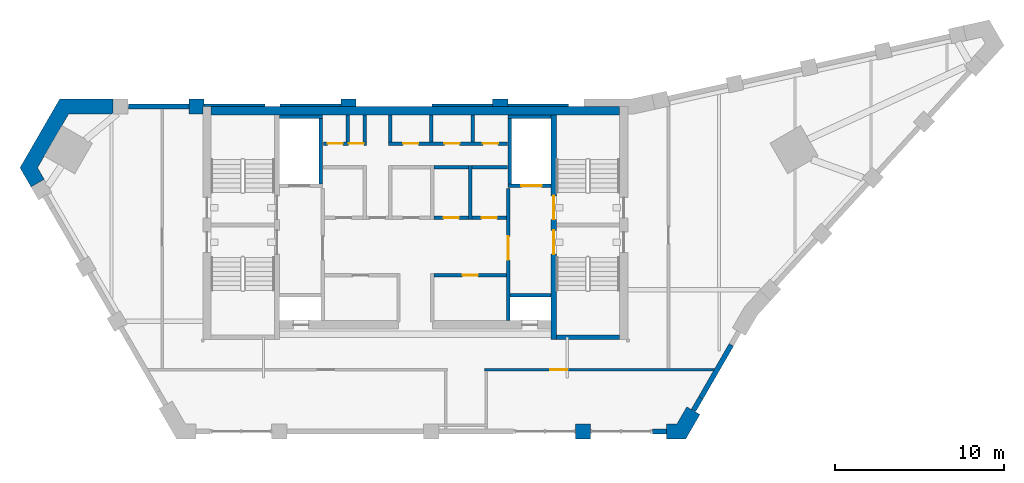
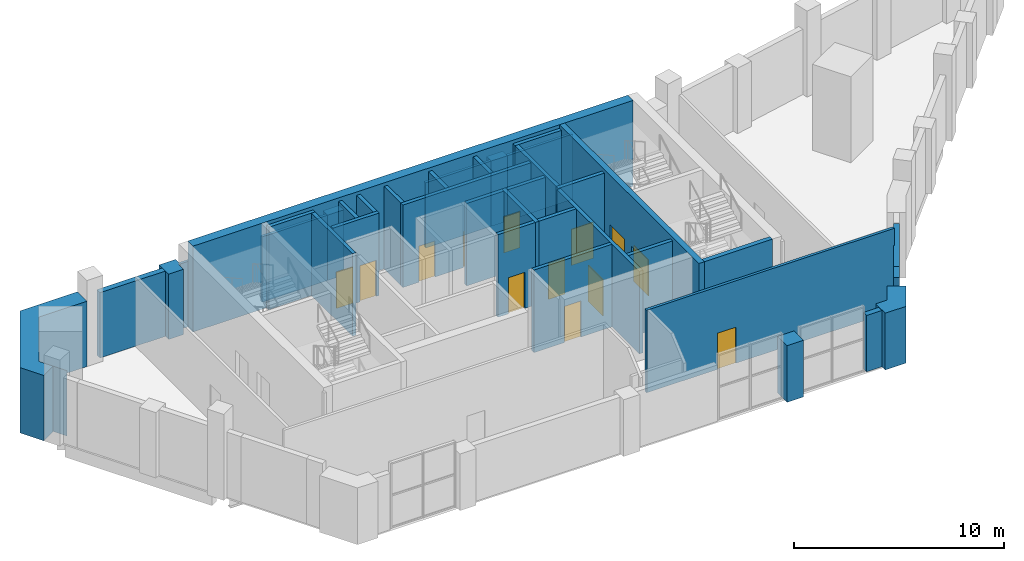
# One storey, part 5 of 9: 38 walls, 13 doors, 13 openings.
"""IFC4 building model written with IfcOpenShell, lengths in metres."""

from ifc_helpers import new_model, si_unit, direction, frame, frame_2d, origin, place, context, subcontext, project, spatial, polyline, rectangle, outline, extrude, material, layer, layer_set, type_object, element, fill, save


model = new_model("IFC4")

# Units and contexts
model_context = context("Model", 3, precision=1e-05, world=origin(), true_north=direction((0.0, 1.0)))
body_context = subcontext(model_context, "Body", "Model", "MODEL_VIEW")
ifc_project = project(units=[si_unit("LENGTHUNIT", "METRE"), si_unit("AREAUNIT", "SQUARE_METRE"), si_unit("VOLUMEUNIT", "CUBIC_METRE"), si_unit("PLANEANGLEUNIT", "RADIAN"), si_unit("MASSUNIT", "GRAM", prefix="KILO")], contexts=[model_context])

# Site, building, storey
site_placement = place(None, origin())
site = spatial("IfcSite", under=ifc_project, at=site_placement, CompositionType="ELEMENT")
building_placement = place(site_placement, origin())
building = spatial("IfcBuilding", under=site, at=building_placement, Name="Calabash Gate Tower", CompositionType="ELEMENT")
storey_placement = place(building_placement, frame((0.0, 0.0, 330.5)))
storey = spatial("IfcBuildingStorey", under=building, at=storey_placement, Name="L77", CompositionType="ELEMENT", Elevation=330.5)

# Walls
ifc_material_1 = material(Name="Terracotta brick masonry, exposed face", Category="masonry")
ifc_layer_1 = layer(ifc_material_1, 0.89990234375)
ifc_layer_set_1 = layer_set([ifc_layer_1], Name="Brick end wall 900")
wall_type_1 = type_object("IfcWallType", Name="Brick end wall 900", PredefinedType="SOLIDWALL", material=ifc_layer_set_1)
wall_1_placement = place(storey_placement, origin())
element("IfcWall", 1, at=wall_1_placement, inside=storey, type_object=wall_type_1, Name="Brick pier L77 crown1.5", PredefinedType="SOLIDWALL", context=body_context, shape_type="SweptSolid", body=[
    extrude(outline(polyline([(10.385986328125, 0.24560546875), (9.48583984375, 0.24560546875), (9.48583984375, -0.654541015625), (10.385986328125, -0.654541015625), (10.385986328125, 0.24560546875)])), origin(), (0.0, 0.0, 1.0), 3.29736328125),
])
wall_2_placement = place(storey_placement, origin())
element("IfcWall", 2, at=wall_2_placement, inside=storey, type_object=wall_type_1, Name="Brick pier L77 crown6.1", PredefinedType="SOLIDWALL", context=body_context, shape_type="SweptSolid", body=[
    extrude(outline(polyline([(4.584228515625, 19.50244140625), (4.584228515625, 19.052490234375), (5.484375, 19.052490234375), (5.484375, 19.50244140625), (4.584228515625, 19.50244140625)])), origin(), (0.0, 0.0, 1.0), 3.800048828125),
])
wall_3_placement = place(storey_placement, origin())
element("IfcWall", 3, at=wall_3_placement, inside=storey, type_object=wall_type_1, Name="Brick pier L77 crown6.3", PredefinedType="SOLIDWALL", context=body_context, shape_type="SweptSolid", body=[
    extrude(outline(polyline([(-4.415771484375, 19.50244140625), (-4.415771484375, 19.052490234375), (-3.515625, 19.052490234375), (-3.515625, 19.50244140625), (-4.415771484375, 19.50244140625)])), origin(), (0.0, 0.0, 1.0), 3.800048828125),
])
wall_4_placement = place(storey_placement, origin())
element("IfcWall", 4, at=wall_4_placement, inside=storey, type_object=wall_type_1, Name="Brick pier L77 crown6.5", PredefinedType="SOLIDWALL", context=body_context, shape_type="SweptSolid", body=[
    extrude(outline(polyline([(-13.415771484375, 19.50244140625), (-13.415771484375, 18.6025390625), (-12.60009765625, 18.6025390625), (-12.60009765625, 19.052490234375), (-12.515625, 19.052490234375), (-12.515625, 19.50244140625), (-13.415771484375, 19.50244140625)])), origin(), (0.0, 0.0, 1.0), 3.800048828125),
])
wall_5_placement = place(storey_placement, origin())
element("IfcWall", 5, at=wall_5_placement, inside=storey, type_object=wall_type_1, Name="Brick end wall L77 2", PredefinedType="SOLIDWALL", context=body_context, shape_type="SweptSolid", body=[
    extrude(outline(polyline([(14.885986328125, 0.24560546875), (14.885986328125, -0.654541015625), (16.023193359375, -0.654541015625), (16.862060546875, 0.798583984375), (16.082763671875, 1.24853515625), (15.503662109375, 0.24560546875), (14.885986328125, 0.24560546875)])), origin(), (0.0, 0.0, 1.0), 3.29736328125),
])
wall_6_placement = place(storey_placement, origin())
element("IfcWall", 6, at=wall_6_placement, inside=storey, type_object=wall_type_1, Name="Brick end wall L77 6", PredefinedType="SOLIDWALL", context=body_context, shape_type="SweptSolid", body=[
    extrude(outline(polyline([(-17.915771484375, 18.6025390625), (-17.916015625, 19.50244140625), (-21.072509765625, 19.50244140625), (-23.430908203125, 15.41796875), (-22.776611328125, 14.28466796875), (-21.997314453125, 14.734619140625), (-21.61181640625, 14.067138671875), (-22.3916015625, 15.41796875), (-20.552978515625, 18.6025390625), (-17.915771484375, 18.6025390625)])), origin(), (0.0, 0.0, 1.0), 3.800048828125),
])

# Wall, opening, door
ifc_material_2 = material(Name="Gypsum board on steel studs, mineral wool", Category="steel")
ifc_layer_2 = layer(ifc_material_2, 0.199951171875)
ifc_layer_set_2 = layer_set([ifc_layer_2], Name="Core partition 200 gypsum board")
wall_type_2 = type_object("IfcWallType", Name="Core partition 200 gypsum board", PredefinedType="PARTITIONING", material=ifc_layer_set_2)
wall_7_placement = place(storey_placement, frame((1.10009765625, 9.052490234375, 0.0), z_axis=(0.0, 0.0, 1.0), x_axis=(1.0, 0.0, 0.0)))
wall_7 = element("IfcWall", 7, at=wall_7_placement, inside=storey, type_object=wall_type_2, Name="Core partition", PredefinedType="PARTITIONING", context=body_context, shape_type="SweptSolid", body=[
    extrude(rectangle(XDim=4.2998046875, YDim=0.199951171875, at=frame_2d((2.14990234375, 0.0))), origin(), (0.0, 0.0, 1.0), 4.800048828125),
])
opening_1_placement = place(wall_7_placement, frame((1.699951171875, 0.0, 0.0)))
opening_1 = element("IfcOpeningElement", 8, at=opening_1_placement, cuts=wall_7, Name="Opening L77-018", PredefinedType="OPENING", context=body_context, shape_type="SweptSolid", body=[
    extrude(rectangle(XDim=0.89990234375, YDim=2.10009765625, at=frame_2d((0.449951171875, 1.050048828125))), frame((0.0, 0.10986328125, 0.0), z_axis=(0.0, -1.0, 0.0), x_axis=(1.0, 0.0, 0.0)), (0.0, 0.0, 1.0), 0.219970703125),
])
ifc_material_3 = material(Name="Steel fire door set with fire-resisting glazing", Category="steel")
door_type_1 = type_object("IfcDoorType", Name="Fire door D06 900x2100 FD60", OperationType="NOTDEFINED", PredefinedType="DOOR", material=ifc_material_3)
door_1_placement = place(opening_1_placement, origin())
door_1 = element("IfcDoor", 9, at=door_1_placement, inside=storey, type_object=door_type_1, Name="Plant Control Room door", OperationType="SINGLE_SWING_LEFT", OverallHeight=2.10009765625, OverallWidth=0.89990234375, PredefinedType="DOOR", context=body_context, shape_type="SweptSolid", body=[
    extrude(rectangle(XDim=0.89990234375, YDim=2.10009765625, at=frame_2d((0.449951171875, 1.050048828125))), frame((0.0, 0.02490234375, 0.0), z_axis=(0.0, -1.0, 0.0), x_axis=(1.0, 0.0, 0.0)), (0.0, 0.0, 1.0), 0.050048828125),
])
fill(opening_1, door_1)

wall_8_placement = place(storey_placement, frame((1.10009765625, 12.45263671875, 0.0), z_axis=(0.0, 0.0, 1.0), x_axis=(1.0, 0.0, 0.0)))
wall_8 = element("IfcWall", 10, at=wall_8_placement, inside=storey, type_object=wall_type_2, Name="Core partition", PredefinedType="PARTITIONING", context=body_context, shape_type="SweptSolid", body=[
    extrude(rectangle(XDim=2.0498046875, YDim=0.199951171875, at=frame_2d((1.02490234375, 0.0))), origin(), (0.0, 0.0, 1.0), 4.800048828125),
])
opening_2_placement = place(wall_8_placement, frame((0.574951171875, 0.0, 0.0)))
opening_2 = element("IfcOpeningElement", 11, at=opening_2_placement, cuts=wall_8, Name="Opening L77-019", PredefinedType="OPENING", context=body_context, shape_type="SweptSolid", body=[
    extrude(rectangle(XDim=0.89990234375, YDim=2.10009765625, at=frame_2d((0.449951171875, 1.050048828125))), frame((0.0, 0.10986328125, 0.0), z_axis=(0.0, -1.0, 0.0), x_axis=(1.0, 0.0, 0.0)), (0.0, 0.0, 1.0), 0.219970703125),
])
door_2_placement = place(opening_2_placement, origin())
door_2 = element("IfcDoor", 12, at=door_2_placement, inside=storey, type_object=door_type_1, Name="Plant Control Room door", OperationType="SINGLE_SWING_RIGHT", OverallHeight=2.10009765625, OverallWidth=0.89990234375, PredefinedType="DOOR", context=body_context, shape_type="SweptSolid", body=[
    extrude(rectangle(XDim=0.89990234375, YDim=2.10009765625, at=frame_2d((0.449951171875, 1.050048828125))), frame((0.0, 0.02490234375, 0.0), z_axis=(0.0, -1.0, 0.0), x_axis=(1.0, 0.0, 0.0)), (0.0, 0.0, 1.0), 0.050048828125),
])
fill(opening_2, door_2)

# Wall
wall_9_placement = place(storey_placement, frame((3.25, 12.3525390625, 0.0), z_axis=(0.0, 0.0, 1.0), x_axis=(0.0, 1.0, 0.0)))
element("IfcWall", 13, at=wall_9_placement, inside=storey, type_object=wall_type_2, Name="Core partition", PredefinedType="PARTITIONING", context=body_context, shape_type="SweptSolid", body=[
    extrude(rectangle(XDim=3.199951171875, YDim=0.199951171875, at=frame_2d((1.60009765625, 0.0))), origin(), (0.0, 0.0, 1.0), 4.800048828125),
])

# Wall, opening, door
wall_10_placement = place(storey_placement, frame((3.35009765625, 12.45263671875, 0.0), z_axis=(0.0, 0.0, 1.0), x_axis=(1.0, 0.0, 0.0)))
wall_10 = element("IfcWall", 14, at=wall_10_placement, inside=storey, type_object=wall_type_2, Name="Core partition", PredefinedType="PARTITIONING", context=body_context, shape_type="SweptSolid", body=[
    extrude(rectangle(XDim=2.0498046875, YDim=0.199951171875, at=frame_2d((1.02490234375, 0.0))), origin(), (0.0, 0.0, 1.0), 4.800048828125),
])
opening_3_placement = place(wall_10_placement, frame((0.574951171875, 0.0, 0.0)))
opening_3 = element("IfcOpeningElement", 15, at=opening_3_placement, cuts=wall_10, Name="Opening L77-020", PredefinedType="OPENING", context=body_context, shape_type="SweptSolid", body=[
    extrude(rectangle(XDim=0.89990234375, YDim=2.10009765625, at=frame_2d((0.449951171875, 1.050048828125))), frame((0.0, 0.10986328125, 0.0), z_axis=(0.0, -1.0, 0.0), x_axis=(1.0, 0.0, 0.0)), (0.0, 0.0, 1.0), 0.219970703125),
])
door_3_placement = place(opening_3_placement, origin())
door_3 = element("IfcDoor", 16, at=door_3_placement, inside=storey, type_object=door_type_1, Name="Plant Spares Store door", OperationType="SINGLE_SWING_LEFT", OverallHeight=2.10009765625, OverallWidth=0.89990234375, PredefinedType="DOOR", context=body_context, shape_type="SweptSolid", body=[
    extrude(rectangle(XDim=0.89990234375, YDim=2.10009765625, at=frame_2d((0.449951171875, 1.050048828125))), frame((0.0, 0.02490234375, 0.0), z_axis=(0.0, -1.0, 0.0), x_axis=(1.0, 0.0, 0.0)), (0.0, 0.0, 1.0), 0.050048828125),
])
fill(opening_3, door_3)

# Walls
wall_11_placement = place(storey_placement, frame((1.10009765625, 15.45263671875, 0.0), z_axis=(0.0, 0.0, 1.0), x_axis=(1.0, 0.0, 0.0)))
element("IfcWall", 17, at=wall_11_placement, inside=storey, type_object=wall_type_2, Name="Core partition", PredefinedType="PARTITIONING", context=body_context, shape_type="SweptSolid", body=[
    extrude(rectangle(XDim=2.0498046875, YDim=0.199951171875, at=frame_2d((1.02490234375, 0.0))), origin(), (0.0, 0.0, 1.0), 4.800048828125),
])
for number, where, z_axis, x_axis, name in (
    (18, (-4.0, 16.95263671875, 0.0), (0.0, 0.0, 1.0), (0.0, 1.0, 0.0), "Core partition"),
    (19, (-3.0, 16.95263671875, 0.0), (0.0, 0.0, 1.0), (0.0, 1.0, 0.0), "Core partition"),
    (20, (-1.5, 16.95263671875, 0.0), (0.0, 0.0, 1.0), (0.0, 1.0, 0.0), "Core partition"),
    (21, (0.949951171875, 16.95263671875, 0.0), (0.0, 0.0, 1.0), (0.0, 1.0, 0.0), "Core partition"),
    (22, (3.39990234375, 16.95263671875, 0.0), (0.0, 0.0, 1.0), (0.0, 1.0, 0.0), "Core partition"),
):
    element("IfcWall", number, at=place(storey_placement, frame(where, z_axis=z_axis, x_axis=x_axis)), inside=storey, type_object=wall_type_2, Name=name, PredefinedType="PARTITIONING", context=body_context, shape_type="SweptSolid", body=[
        extrude(rectangle(XDim=1.599853515625, YDim=0.199951171875, at=frame_2d((0.7998046875, 0.0))), origin(), (0.0, 0.0, 1.0), 4.800048828125),
    ])
ifc_material_4 = material(Name="Concrete C60/75", Category="concrete")
ifc_layer_3 = layer(ifc_material_4, 0.25)
ifc_layer_set_3 = layer_set([ifc_layer_3], Name="Core wall 250 Concrete C60/75")
wall_type_3 = type_object("IfcWallType", Name="Core wall 250 Concrete C60/75", PredefinedType="SHEAR", material=ifc_layer_set_3)
wall_12_placement = place(storey_placement, frame((8.35009765625, 5.377685546875, 0.0), z_axis=(0.0, 0.0, 1.0), x_axis=(1.0, 0.0, 0.0)))
element("IfcWall", 23, at=wall_12_placement, inside=storey, type_object=wall_type_3, Name="Core wall C-SSE L77", PredefinedType="SHEAR", context=body_context, shape_type="SweptSolid", body=[
    extrude(rectangle(XDim=3.75, YDim=0.25, at=frame_2d((1.875, 0.0))), origin(), (0.0, 0.0, 1.0), 5.0),
])

# Wall, openings, doors
ifc_material_5 = material(Name="Concrete C60/75", Category="concrete")
ifc_layer_4 = layer(ifc_material_5, 0.300048828125)
ifc_layer_set_4 = layer_set([ifc_layer_4], Name="Core wall 300 Concrete C60/75")
wall_type_4 = type_object("IfcWallType", Name="Core wall 300 Concrete C60/75", PredefinedType="SHEAR", material=ifc_layer_set_4)
wall_13_placement = place(storey_placement, frame((8.199951171875, 5.252685546875, 0.0), z_axis=(0.0, 0.0, 1.0), x_axis=(0.0, 1.0, 0.0)))
wall_13 = element("IfcWall", 24, at=wall_13_placement, inside=storey, type_object=wall_type_4, Name="Core wall C-PARTE L77", PredefinedType="SHEAR", context=body_context, shape_type="SweptSolid", body=[
    extrude(rectangle(XDim=13.2998046875, YDim=0.300048828125, at=frame_2d((6.64990234375, 0.0))), origin(), (0.0, 0.0, 1.0), 5.0),
])
opening_4_placement = place(wall_13_placement, frame((7.10009765625, 0.0, 0.0)))
opening_4 = element("IfcOpeningElement", 25, at=opening_4_placement, cuts=wall_13, Name="Opening L77-003", PredefinedType="OPENING", context=body_context, shape_type="SweptSolid", body=[
    extrude(rectangle(XDim=1.39990234375, YDim=2.10009765625, at=frame_2d((0.699951171875, 1.050048828125))), frame((0.0, 0.159912109375, 0.0), z_axis=(0.0, -1.0, 0.0), x_axis=(1.0, 0.0, 0.0)), (0.0, 0.0, 1.0), 0.320068359375),
])
opening_5_placement = place(wall_13_placement, frame((5.050048828125, 0.0, 0.0)))
opening_5 = element("IfcOpeningElement", 26, at=opening_5_placement, cuts=wall_13, Name="Opening L77-004", PredefinedType="OPENING", context=body_context, shape_type="SweptSolid", body=[
    extrude(rectangle(XDim=1.39990234375, YDim=2.10009765625, at=frame_2d((0.699951171875, 1.050048828125))), frame((0.0, 0.159912109375, 0.0), z_axis=(0.0, -1.0, 0.0), x_axis=(1.0, 0.0, 0.0)), (0.0, 0.0, 1.0), 0.320068359375),
])
ifc_material_6 = material(Name="Steel fire door set with fire-resisting glazing", Category="steel")
door_type_2 = type_object("IfcDoorType", Name="Fire door D05 1400x2100 FD90", OperationType="NOTDEFINED", PredefinedType="DOOR", material=ifc_material_6)
door_4_placement = place(opening_4_placement, origin())
door_4 = element("IfcDoor", 27, at=door_4_placement, inside=storey, type_object=door_type_2, Name="Exit stair door ST3", OperationType="SINGLE_SWING_RIGHT", OverallHeight=2.10009765625, OverallWidth=1.39990234375, PredefinedType="DOOR", context=body_context, shape_type="SweptSolid", body=[
    extrude(rectangle(XDim=1.39990234375, YDim=2.10009765625, at=frame_2d((0.699951171875, 1.050048828125))), frame((0.0, 0.02490234375, 0.0), z_axis=(0.0, -1.0, 0.0), x_axis=(1.0, 0.0, 0.0)), (0.0, 0.0, 1.0), 0.050048828125),
])
fill(opening_4, door_4)
door_5_placement = place(opening_5_placement, origin())
door_5 = element("IfcDoor", 28, at=door_5_placement, inside=storey, type_object=door_type_2, Name="Exit stair door ST4", OperationType="SINGLE_SWING_LEFT", OverallHeight=2.10009765625, OverallWidth=1.39990234375, PredefinedType="DOOR", context=body_context, shape_type="SweptSolid", body=[
    extrude(rectangle(XDim=1.39990234375, YDim=2.10009765625, at=frame_2d((0.699951171875, 1.050048828125))), frame((0.0, 0.02490234375, 0.0), z_axis=(0.0, -1.0, 0.0), x_axis=(1.0, 0.0, 0.0)), (0.0, 0.0, 1.0), 0.050048828125),
])
fill(opening_5, door_5)

# Wall
ifc_material_7 = material(Name="Concrete C60/75", Category="concrete")
ifc_layer_5 = layer(ifc_material_7, 0.5)
ifc_layer_set_5 = layer_set([ifc_layer_5], Name="Core wall 500 Concrete C60/75")
wall_type_5 = type_object("IfcWallType", Name="Core wall 500 Concrete C60/75", PredefinedType="SHEAR", material=ifc_layer_set_5)
wall_14_placement = place(storey_placement, frame((-12.10009765625, 18.802490234375, 0.0), z_axis=(0.0, 0.0, 1.0), x_axis=(1.0, 0.0, 0.0)))
element("IfcWall", 29, at=wall_14_placement, inside=storey, type_object=wall_type_5, Name="Core wall C-N L77", PredefinedType="SHEAR", context=body_context, shape_type="SweptSolid", body=[
    extrude(rectangle(XDim=24.2001953125, YDim=0.5, at=frame_2d((12.10009765625, 0.0))), origin(), (0.0, 0.0, 1.0), 5.0),
])

# Wall, opening, door
ifc_material_8 = material(Name="Gypsum board on steel studs, mineral wool", Category="steel")
ifc_layer_6 = layer(ifc_material_8, 0.14990234375)
ifc_layer_set_6 = layer_set([ifc_layer_6], Name="Partition 150 gypsum board")
wall_type_6 = type_object("IfcWallType", Name="Partition 150 gypsum board", PredefinedType="PARTITIONING", material=ifc_layer_set_6)
wall_15_placement = place(storey_placement, frame((4.094970703125, 3.45263671875, 0.0), z_axis=(0.0, 0.0, 1.0), x_axis=(1.0, 0.0, 0.0)))
wall_15 = element("IfcWall", 30, at=wall_15_placement, inside=storey, type_object=wall_type_6, Name="Partition", PredefinedType="PARTITIONING", context=body_context, shape_type="SweptSolid", body=[
    extrude(rectangle(XDim=13.626708984375, YDim=0.14990234375, at=frame_2d((6.8134765625, 0.0))), origin(), (0.0, 0.0, 1.0), 4.800048828125),
])
opening_6_placement = place(wall_15_placement, frame((3.905029296875, 0.0, 0.0)))
opening_6 = element("IfcOpeningElement", 31, at=opening_6_placement, cuts=wall_15, Name="Opening L77-028", PredefinedType="OPENING", context=body_context, shape_type="SweptSolid", body=[
    extrude(rectangle(XDim=1.0, YDim=2.10009765625, at=frame_2d((0.5, 1.050048828125))), frame((0.0, 0.0849609375, 0.0), z_axis=(0.0, -1.0, 0.0), x_axis=(1.0, 0.0, 0.0)), (0.0, 0.0, 1.0), 0.169921875),
])
ifc_material_9 = material(Name="Steel fire door set with fire-resisting glazing", Category="steel")
door_type_3 = type_object("IfcDoorType", Name="Fire door D11 1000x2100 FD60", OperationType="NOTDEFINED", PredefinedType="DOOR", material=ifc_material_9)
door_6_placement = place(opening_6_placement, origin())
door_6 = element("IfcDoor", 32, at=door_6_placement, inside=storey, type_object=door_type_3, Name="Window Cleaning Plant Room door", OperationType="SINGLE_SWING_RIGHT", OverallHeight=2.10009765625, OverallWidth=1.0, PredefinedType="DOOR", context=body_context, shape_type="SweptSolid", body=[
    extrude(rectangle(XDim=1.0, YDim=2.10009765625, at=frame_2d((0.5, 1.050048828125))), frame((0.0, 0.02490234375, 0.0), z_axis=(0.0, -1.0, 0.0), x_axis=(1.0, 0.0, 0.0)), (0.0, 0.0, 1.0), 0.050048828125),
])
fill(opening_6, door_6)

ifc_material_10 = material(Name="Concrete C40/50", Category="concrete")
ifc_layer_7 = layer(ifc_material_10, 0.199951171875)
ifc_layer_set_7 = layer_set([ifc_layer_7], Name="Shaft wall 200 Concrete C40/50")
wall_type_7 = type_object("IfcWallType", Name="Shaft wall 200 Concrete C40/50", PredefinedType="SOLIDWALL", material=ifc_layer_set_7)
wall_16_placement = place(storey_placement, frame((5.5, 6.3525390625, 0.0), z_axis=(0.0, 0.0, 1.0), x_axis=(0.0, 1.0, 0.0)))
wall_16 = element("IfcWall", 33, at=wall_16_placement, inside=storey, type_object=wall_type_7, Name="Shaft wall", PredefinedType="SOLIDWALL", context=body_context, shape_type="SweptSolid", body=[
    extrude(rectangle(XDim=7.85009765625, YDim=0.199951171875, at=frame_2d((3.925048828125, 0.0))), origin(), (0.0, 0.0, 1.0), 4.800048828125),
])
opening_7_placement = place(wall_16_placement, frame((3.60009765625, 0.0, 0.0)))
opening_7 = element("IfcOpeningElement", 34, at=opening_7_placement, cuts=wall_16, Name="Opening L77-011", PredefinedType="OPENING", context=body_context, shape_type="SweptSolid", body=[
    extrude(rectangle(XDim=1.39990234375, YDim=2.10009765625, at=frame_2d((0.699951171875, 1.050048828125))), frame((0.0, 0.10986328125, 0.0), z_axis=(0.0, -1.0, 0.0), x_axis=(1.0, 0.0, 0.0)), (0.0, 0.0, 1.0), 0.219970703125),
])
door_7_placement = place(opening_7_placement, origin())
door_7 = element("IfcDoor", 35, at=door_7_placement, inside=storey, type_object=door_type_2, Name="Firefighting Lobby E door", OperationType="SINGLE_SWING_LEFT", OverallHeight=2.10009765625, OverallWidth=1.39990234375, PredefinedType="DOOR", context=body_context, shape_type="SweptSolid", body=[
    extrude(rectangle(XDim=1.39990234375, YDim=2.10009765625, at=frame_2d((0.699951171875, 1.050048828125))), frame((0.0, 0.02490234375, 0.0), z_axis=(0.0, -1.0, 0.0), x_axis=(1.0, 0.0, 0.0)), (0.0, 0.0, 1.0), 0.050048828125),
])
fill(opening_7, door_7)

# Wall
wall_17_placement = place(storey_placement, frame((5.60009765625, 7.8525390625, 0.0), z_axis=(0.0, 0.0, 1.0), x_axis=(1.0, 0.0, 0.0)))
element("IfcWall", 36, at=wall_17_placement, inside=storey, type_object=wall_type_7, Name="Shaft wall", PredefinedType="SOLIDWALL", context=body_context, shape_type="SweptSolid", body=[
    extrude(rectangle(XDim=2.449951171875, YDim=0.199951171875, at=frame_2d((1.22509765625, 0.0))), origin(), (0.0, 0.0, 1.0), 4.800048828125),
])

# Wall, opening, door
wall_18_placement = place(storey_placement, frame((5.5, 14.3525390625, 0.0), z_axis=(0.0, 0.0, 1.0), x_axis=(1.0, 0.0, 0.0)))
wall_18 = element("IfcWall", 37, at=wall_18_placement, inside=storey, type_object=wall_type_7, Name="Shaft wall", PredefinedType="SOLIDWALL", context=body_context, shape_type="SweptSolid", body=[
    extrude(rectangle(XDim=2.550048828125, YDim=0.199951171875, at=frame_2d((1.27490234375, 0.0))), origin(), (0.0, 0.0, 1.0), 4.800048828125),
])
opening_8_placement = place(wall_18_placement, frame((0.77490234375, 0.0, 0.0)))
opening_8 = element("IfcOpeningElement", 38, at=opening_8_placement, cuts=wall_18, Name="Opening LD-FF2", PredefinedType="OPENING", context=body_context, shape_type="SweptSolid", body=[
    extrude(rectangle(XDim=1.199951171875, YDim=2.10009765625, at=frame_2d((0.60009765625, 1.050048828125))), frame((0.0, 0.10986328125, 0.0), z_axis=(0.0, -1.0, 0.0), x_axis=(1.0, 0.0, 0.0)), (0.0, 0.0, 1.0), 0.219970703125),
])
ifc_material_11 = material(Name="Stainless steel sliding door leaves", Category="steel")
door_type_4 = type_object("IfcDoorType", Name="Lift landing door LS3 1200x2100 FD90", OperationType="DOUBLE_DOOR_SLIDING", PredefinedType="DOOR", material=ifc_material_11)
door_8_placement = place(opening_8_placement, origin())
door_8 = element("IfcDoor", 39, at=door_8_placement, inside=storey, type_object=door_type_4, Name="Lift landing door FF2", OperationType="DOUBLE_DOOR_SLIDING", OverallHeight=2.10009765625, OverallWidth=1.199951171875, PredefinedType="DOOR", context=body_context, shape_type="SweptSolid", body=[
    extrude(rectangle(XDim=1.199951171875, YDim=2.10009765625, at=frame_2d((0.60009765625, 1.050048828125))), frame((0.0, 0.02490234375, 0.0), z_axis=(0.0, -1.0, 0.0), x_axis=(1.0, 0.0, 0.0)), (0.0, 0.0, 1.0), 0.050048828125),
])
fill(opening_8, door_8)

# Walls
for number, where, z_axis, x_axis, name in (
    (40, (-5.60009765625, 14.45263671875, 0.0), (0.0, 0.0, 1.0), (0.0, 1.0, 0.0), "Shaft wall"),
    (41, (5.60009765625, 14.45263671875, 0.0), (0.0, 0.0, 1.0), (0.0, 1.0, 0.0), "Shaft wall"),
):
    element("IfcWall", number, at=place(storey_placement, frame(where, z_axis=z_axis, x_axis=x_axis)), inside=storey, type_object=wall_type_7, Name=name, PredefinedType="SOLIDWALL", context=body_context, shape_type="SweptSolid", body=[
        extrude(rectangle(XDim=3.89990234375, YDim=0.199951171875, at=frame_2d((1.949951171875, 0.0))), origin(), (0.0, 0.0, 1.0), 4.800048828125),
    ])
wall_19_placement = place(storey_placement, frame((3.35009765625, 15.45263671875, 0.0), z_axis=(0.0, 0.0, 1.0), x_axis=(1.0, 0.0, 0.0)))
element("IfcWall", 42, at=wall_19_placement, inside=storey, type_object=wall_type_7, Name="Shaft wall", PredefinedType="SOLIDWALL", context=body_context, shape_type="SweptSolid", body=[
    extrude(rectangle(XDim=2.099853515625, YDim=0.199951171875, at=frame_2d((1.0498046875, 0.0))), origin(), (0.0, 0.0, 1.0), 4.800048828125),
])

# Wall, openings, doors
wall_20_placement = place(storey_placement, frame((-5.449951171875, 16.8525390625, 0.0), z_axis=(0.0, 0.0, 1.0), x_axis=(1.0, 0.0, 0.0)))
wall_20 = element("IfcWall", 43, at=wall_20_placement, inside=storey, type_object=wall_type_7, Name="Shaft wall", PredefinedType="SOLIDWALL", context=body_context, shape_type="SweptSolid", body=[
    extrude(rectangle(XDim=2.550048828125, YDim=0.199951171875, at=frame_2d((1.27490234375, 0.0))), origin(), (0.0, 0.0, 1.0), 4.800048828125),
])
opening_9_placement = place(wall_20_placement, frame((0.25, 0.0, 0.0)))
opening_9 = element("IfcOpeningElement", 44, at=opening_9_placement, cuts=wall_20, Name="Opening L77-012", PredefinedType="OPENING", context=body_context, shape_type="SweptSolid", body=[
    extrude(rectangle(XDim=0.89990234375, YDim=2.10009765625, at=frame_2d((0.449951171875, 1.050048828125))), frame((0.0, 0.10986328125, 0.0), z_axis=(0.0, -1.0, 0.0), x_axis=(1.0, 0.0, 0.0)), (0.0, 0.0, 1.0), 0.219970703125),
])
opening_10_placement = place(wall_20_placement, frame((1.5, 0.0, 0.0)))
opening_10 = element("IfcOpeningElement", 45, at=opening_10_placement, cuts=wall_20, Name="Opening L77-013", PredefinedType="OPENING", context=body_context, shape_type="SweptSolid", body=[
    extrude(rectangle(XDim=0.89990234375, YDim=2.10009765625, at=frame_2d((0.449951171875, 1.050048828125))), frame((0.0, 0.10986328125, 0.0), z_axis=(0.0, -1.0, 0.0), x_axis=(1.0, 0.0, 0.0)), (0.0, 0.0, 1.0), 0.219970703125),
])
door_9_placement = place(opening_9_placement, origin())
door_9 = element("IfcDoor", 46, at=door_9_placement, inside=storey, type_object=door_type_1, Name="Chilled Water Plant door", OperationType="SINGLE_SWING_LEFT", OverallHeight=2.10009765625, OverallWidth=0.89990234375, PredefinedType="DOOR", context=body_context, shape_type="SweptSolid", body=[
    extrude(rectangle(XDim=0.89990234375, YDim=2.10009765625, at=frame_2d((0.449951171875, 1.050048828125))), frame((0.0, 0.02490234375, 0.0), z_axis=(0.0, -1.0, 0.0), x_axis=(1.0, 0.0, 0.0)), (0.0, 0.0, 1.0), 0.050048828125),
])
fill(opening_9, door_9)
door_10_placement = place(opening_10_placement, origin())
door_10 = element("IfcDoor", 47, at=door_10_placement, inside=storey, type_object=door_type_1, Name="Mechanical Pump Room door", OperationType="SINGLE_SWING_LEFT", OverallHeight=2.10009765625, OverallWidth=0.89990234375, PredefinedType="DOOR", context=body_context, shape_type="SweptSolid", body=[
    extrude(rectangle(XDim=0.89990234375, YDim=2.10009765625, at=frame_2d((0.449951171875, 1.050048828125))), frame((0.0, 0.02490234375, 0.0), z_axis=(0.0, -1.0, 0.0), x_axis=(1.0, 0.0, 0.0)), (0.0, 0.0, 1.0), 0.050048828125),
])
fill(opening_10, door_10)

wall_21_placement = place(storey_placement, frame((-1.60009765625, 16.8525390625, 0.0), z_axis=(0.0, 0.0, 1.0), x_axis=(1.0, 0.0, 0.0)))
wall_21 = element("IfcWall", 48, at=wall_21_placement, inside=storey, type_object=wall_type_7, Name="Shaft wall", PredefinedType="SOLIDWALL", context=body_context, shape_type="SweptSolid", body=[
    extrude(rectangle(XDim=7.050048828125, YDim=0.199951171875, at=frame_2d((3.52490234375, 0.0))), origin(), (0.0, 0.0, 1.0), 4.800048828125),
])
opening_11_placement = place(wall_21_placement, frame((0.875, 0.0, 0.0)))
opening_11 = element("IfcOpeningElement", 49, at=opening_11_placement, cuts=wall_21, Name="Opening L77-014", PredefinedType="OPENING", context=body_context, shape_type="SweptSolid", body=[
    extrude(rectangle(XDim=0.89990234375, YDim=2.10009765625, at=frame_2d((0.449951171875, 1.050048828125))), frame((0.0, 0.10986328125, 0.0), z_axis=(0.0, -1.0, 0.0), x_axis=(1.0, 0.0, 0.0)), (0.0, 0.0, 1.0), 0.219970703125),
])
opening_12_placement = place(wall_21_placement, frame((3.324951171875, 0.0, 0.0)))
opening_12 = element("IfcOpeningElement", 50, at=opening_12_placement, cuts=wall_21, Name="Opening L77-015", PredefinedType="OPENING", context=body_context, shape_type="SweptSolid", body=[
    extrude(rectangle(XDim=0.89990234375, YDim=2.10009765625, at=frame_2d((0.449951171875, 1.050048828125))), frame((0.0, 0.10986328125, 0.0), z_axis=(0.0, -1.0, 0.0), x_axis=(1.0, 0.0, 0.0)), (0.0, 0.0, 1.0), 0.219970703125),
])
opening_13_placement = place(wall_21_placement, frame((5.60009765625, 0.0, 0.0)))
opening_13 = element("IfcOpeningElement", 51, at=opening_13_placement, cuts=wall_21, Name="Opening L77-016", PredefinedType="OPENING", context=body_context, shape_type="SweptSolid", body=[
    extrude(rectangle(XDim=0.89990234375, YDim=2.10009765625, at=frame_2d((0.449951171875, 1.050048828125))), frame((0.0, 0.10986328125, 0.0), z_axis=(0.0, -1.0, 0.0), x_axis=(1.0, 0.0, 0.0)), (0.0, 0.0, 1.0), 0.219970703125),
])
door_11_placement = place(opening_11_placement, origin())
door_11 = element("IfcDoor", 52, at=door_11_placement, inside=storey, type_object=door_type_1, Name="Heat Exchanger Plant Room door", OperationType="SINGLE_SWING_LEFT", OverallHeight=2.10009765625, OverallWidth=0.89990234375, PredefinedType="DOOR", context=body_context, shape_type="SweptSolid", body=[
    extrude(rectangle(XDim=0.89990234375, YDim=2.10009765625, at=frame_2d((0.449951171875, 1.050048828125))), frame((0.0, 0.02490234375, 0.0), z_axis=(0.0, -1.0, 0.0), x_axis=(1.0, 0.0, 0.0)), (0.0, 0.0, 1.0), 0.050048828125),
])
fill(opening_11, door_11)
door_12_placement = place(opening_12_placement, origin())
door_12 = element("IfcDoor", 53, at=door_12_placement, inside=storey, type_object=door_type_1, Name="Mechanical Fan Room door", OperationType="SINGLE_SWING_LEFT", OverallHeight=2.10009765625, OverallWidth=0.89990234375, PredefinedType="DOOR", context=body_context, shape_type="SweptSolid", body=[
    extrude(rectangle(XDim=0.89990234375, YDim=2.10009765625, at=frame_2d((0.449951171875, 1.050048828125))), frame((0.0, 0.02490234375, 0.0), z_axis=(0.0, -1.0, 0.0), x_axis=(1.0, 0.0, 0.0)), (0.0, 0.0, 1.0), 0.050048828125),
])
fill(opening_12, door_12)
door_13_placement = place(opening_13_placement, origin())
door_13 = element("IfcDoor", 54, at=door_13_placement, inside=storey, type_object=door_type_1, Name="Plant BMS Room door", OperationType="SINGLE_SWING_RIGHT", OverallHeight=2.10009765625, OverallWidth=0.89990234375, PredefinedType="DOOR", context=body_context, shape_type="SweptSolid", body=[
    extrude(rectangle(XDim=0.89990234375, YDim=2.10009765625, at=frame_2d((0.449951171875, 1.050048828125))), frame((0.0, 0.02490234375, 0.0), z_axis=(0.0, -1.0, 0.0), x_axis=(1.0, 0.0, 0.0)), (0.0, 0.0, 1.0), 0.050048828125),
])
fill(opening_13, door_13)

# Walls
for number, where, z_axis, x_axis, name in (
    (55, (-8.050048828125, 18.45263671875, 0.0), (0.0, 0.0, 1.0), (1.0, 0.0, 0.0), "Shaft wall"),
    (56, (5.5, 18.45263671875, 0.0), (0.0, 0.0, 1.0), (1.0, 0.0, 0.0), "Shaft wall"),
):
    element("IfcWall", number, at=place(storey_placement, frame(where, z_axis=z_axis, x_axis=x_axis)), inside=storey, type_object=wall_type_7, Name=name, PredefinedType="SOLIDWALL", context=body_context, shape_type="SweptSolid", body=[
        extrude(rectangle(XDim=2.550048828125, YDim=0.199951171875, at=frame_2d((1.27490234375, 0.0))), origin(), (0.0, 0.0, 1.0), 4.800048828125),
    ])
ifc_material_12 = material(Name="Terracotta louvre blades in an aluminium frame", Category="masonry")
ifc_layer_8 = layer(ifc_material_12, 0.300048828125)
ifc_layer_set_8 = layer_set([ifc_layer_8], Name="Terracotta louvre wall 300")
wall_type_8 = type_object("IfcWallType", Name="Terracotta louvre wall 300", PredefinedType="ELEMENTEDWALL", material=ifc_layer_set_8)
wall_22_placement = place(storey_placement, frame((16.92236328125, 1.802978515625, 0.0), z_axis=(0.0, 0.0, 1.0), x_axis=(0.500012057535, 0.866018442252, 0.0)))
element("IfcWall", 57, at=wall_22_placement, inside=storey, type_object=wall_type_8, Name="LOUVRE L77 crown2.1", PredefinedType="ELEMENTEDWALL", context=body_context, shape_type="SweptSolid", body=[
    extrude(rectangle(XDim=3.60009765625, YDim=0.300048828125, at=frame_2d((1.800048828125, 0.0))), origin(), (0.0, 0.0, 1.0), 3.800048828125),
])
wall_23_placement = place(storey_placement, origin())
element("IfcWall", 58, at=wall_23_placement, inside=storey, type_object=wall_type_8, Name="LOUVRE L77 crown6.1", PredefinedType="ELEMENTEDWALL", context=body_context, shape_type="SweptSolid", body=[
    extrude(outline(polyline([(9.084228515625, 19.20263671875), (5.484375, 19.20263671875), (5.484375, 19.052490234375), (9.084228515625, 19.052490234375), (9.084228515625, 19.20263671875)])), origin(), (0.0, 0.0, 1.0), 3.800048828125),
])
wall_24_placement = place(storey_placement, origin())
element("IfcWall", 59, at=wall_24_placement, inside=storey, type_object=wall_type_8, Name="LOUVRE L77 crown6.2", PredefinedType="ELEMENTEDWALL", context=body_context, shape_type="SweptSolid", body=[
    extrude(outline(polyline([(4.584228515625, 19.20263671875), (0.984375, 19.20263671875), (0.984375, 19.052490234375), (4.584228515625, 19.052490234375), (4.584228515625, 19.20263671875)])), origin(), (0.0, 0.0, 1.0), 3.800048828125),
])
wall_25_placement = place(storey_placement, origin())
element("IfcWall", 60, at=wall_25_placement, inside=storey, type_object=wall_type_8, Name="LOUVRE L77 crown6.4", PredefinedType="ELEMENTEDWALL", context=body_context, shape_type="SweptSolid", body=[
    extrude(outline(polyline([(-4.415771484375, 19.20263671875), (-8.015625, 19.20263671875), (-8.015625, 19.052490234375), (-4.415771484375, 19.052490234375), (-4.415771484375, 19.20263671875)])), origin(), (0.0, 0.0, 1.0), 3.800048828125),
])
wall_26_placement = place(storey_placement, origin())
element("IfcWall", 61, at=wall_26_placement, inside=storey, type_object=wall_type_8, Name="LOUVRE L77 crown6.5", PredefinedType="ELEMENTEDWALL", context=body_context, shape_type="SweptSolid", body=[
    extrude(outline(polyline([(-8.915771484375, 19.20263671875), (-12.515625, 19.20263671875), (-12.515625, 19.052490234375), (-8.915771484375, 19.052490234375), (-8.915771484375, 19.20263671875)])), origin(), (0.0, 0.0, 1.0), 3.800048828125),
])
wall_27_placement = place(storey_placement, frame((-13.415771484375, 19.052490234375, 0.0), z_axis=(0.0, 0.0, 1.0), x_axis=(-1.0, 0.0, 0.0)))
element("IfcWall", 62, at=wall_27_placement, inside=storey, type_object=wall_type_8, Name="LOUVRE L77 crown6.6", PredefinedType="ELEMENTEDWALL", context=body_context, shape_type="SweptSolid", body=[
    extrude(rectangle(XDim=3.599853515625, YDim=0.300048828125, at=frame_2d((1.7998046875, 0.0))), origin(), (0.0, 0.0, 1.0), 3.800048828125),
])
wall_28_placement = place(storey_placement, frame((14.038330078125, -0.204345703125, 0.0), z_axis=(0.0, 0.0, 1.0), x_axis=(1.0, 0.0, 0.0)))
element("IfcWall", 63, at=wall_28_placement, inside=storey, type_object=wall_type_8, Name="LOUVRE L77 edge crown1.c7", PredefinedType="ELEMENTEDWALL", context=body_context, shape_type="SweptSolid", body=[
    extrude(rectangle(XDim=0.840087890625, YDim=0.300048828125, at=frame_2d((0.419921875, 0.0))), origin(), (0.0, 0.0, 1.0), 3.27880859375),
])
wall_29_placement = place(storey_placement, frame((16.478515625, 1.033935546875, 0.0), z_axis=(0.0, 0.0, 1.0), x_axis=(0.499881837328, 0.866093614288, 0.0)))
element("IfcWall", 64, at=wall_29_placement, inside=storey, type_object=wall_type_8, Name="LOUVRE L77 edge crown2.c8", PredefinedType="ELEMENTEDWALL", context=body_context, shape_type="SweptSolid", body=[
    extrude(rectangle(XDim=0.884033203125, YDim=0.300048828125, at=frame_2d((0.44189453125, 0.0))), origin(), (0.0, 0.0, 1.0), 3.800048828125),
])

save(model, "model.ifc")
